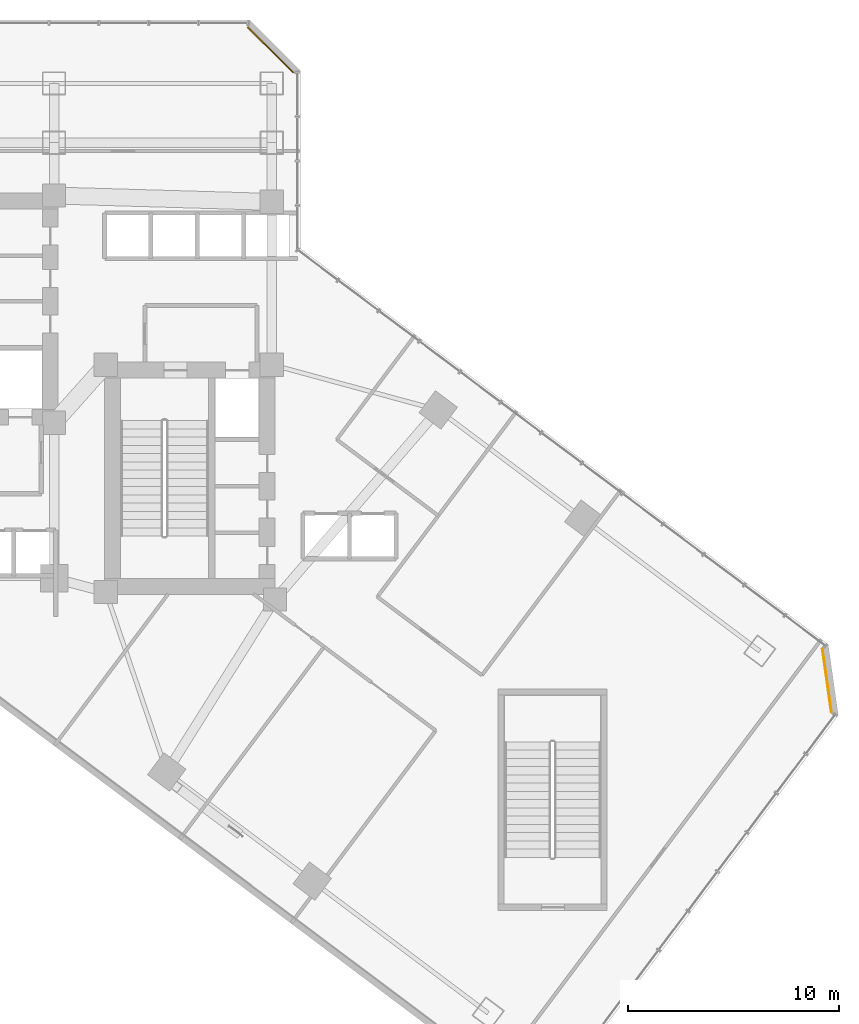
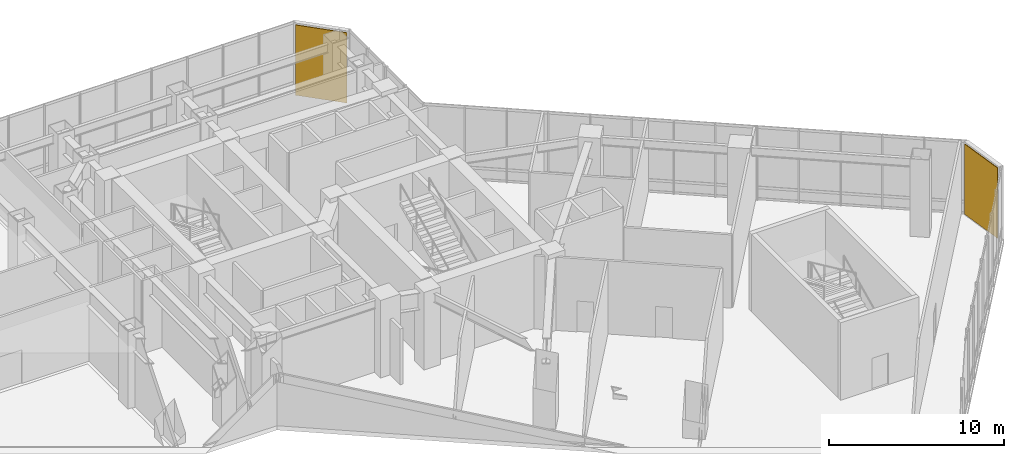
# One storey, part 35 of 35: 2 coverings.
"""IFC4 building model written with IfcOpenShell, lengths in metres."""

from ifc_helpers import new_model, si_unit, direction, frame, origin, origin_2d, place, context, subcontext, project, spatial, rectangle, extrude, material, layer, layer_set, type_object, element, save


model = new_model("IFC4")

# Units and contexts
model_context = context("Model", 3, precision=1e-05, world=origin(), true_north=direction((0.0, 1.0)))
body_context = subcontext(model_context, "Body", "Model", "MODEL_VIEW")
ifc_project = project(units=[si_unit("LENGTHUNIT", "METRE"), si_unit("AREAUNIT", "SQUARE_METRE"), si_unit("VOLUMEUNIT", "CUBIC_METRE"), si_unit("PLANEANGLEUNIT", "RADIAN"), si_unit("MASSUNIT", "GRAM", prefix="KILO")], contexts=[model_context])

# Site, building, storey
site_placement = place(None, origin())
site = spatial("IfcSite", under=ifc_project, at=site_placement, CompositionType="ELEMENT")
building_placement = place(site_placement, origin())
building = spatial("IfcBuilding", under=site, at=building_placement, Name="Hatsunagi Terrace Concourse", CompositionType="ELEMENT")
storey_placement = place(building_placement, frame((0.0, 0.0, 10.800048828125)))
storey = spatial("IfcBuildingStorey", under=building, at=storey_placement, Name="L03", CompositionType="ELEMENT", Elevation=10.800048828125)

# Coverings
ifc_material = material(Name="Unglazed Warm Terracotta Rainscreen Tile", Category="masonry")
ifc_layer = layer(ifc_material, 0.044921875)
ifc_layer_set = layer_set([ifc_layer], Name="TerracottaRainscreenCladding_45")
covering_type = type_object("IfcCoveringType", Name="TerracottaRainscreenCladding_45", PredefinedType="CLADDING", material=ifc_layer_set)
for number, where, z_axis, x_axis, name in (
    (1, (69.90087890625, 20.35791015625, 0.10009765625), (0.0, 0.0, 1.0), (0.141250262458, -0.989973920543, 0.0), "Terracotta Rainscreen Cladding L03-02"),
    (2, (43.5859375, 50.18603515625, 0.10009765625), (0.0, 0.0, 1.0), (0.707106781187, -0.707106781187, 0.0), "Terracotta Rainscreen Cladding L03-13"),
):
    element("IfcCovering", number, at=place(storey_placement, frame(where, z_axis=z_axis, x_axis=x_axis)), inside=storey, type_object=covering_type, Name=name, PredefinedType="CLADDING", context=body_context, shape_type="SweptSolid", body=[
        extrude(rectangle(XDim=3.0380859375, YDim=0.044921875, at=origin_2d()), origin(), (0.0, 0.0, 1.0), 4.89990234375),
    ])

save(model, "model.ifc")
